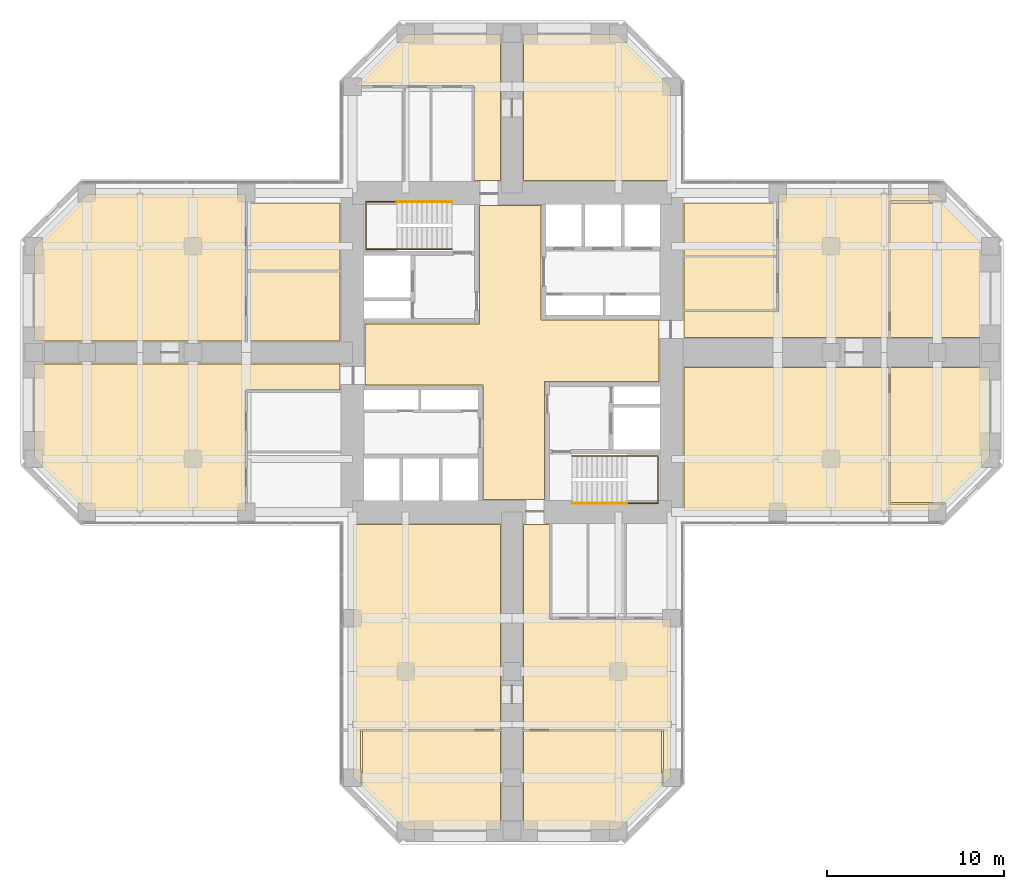
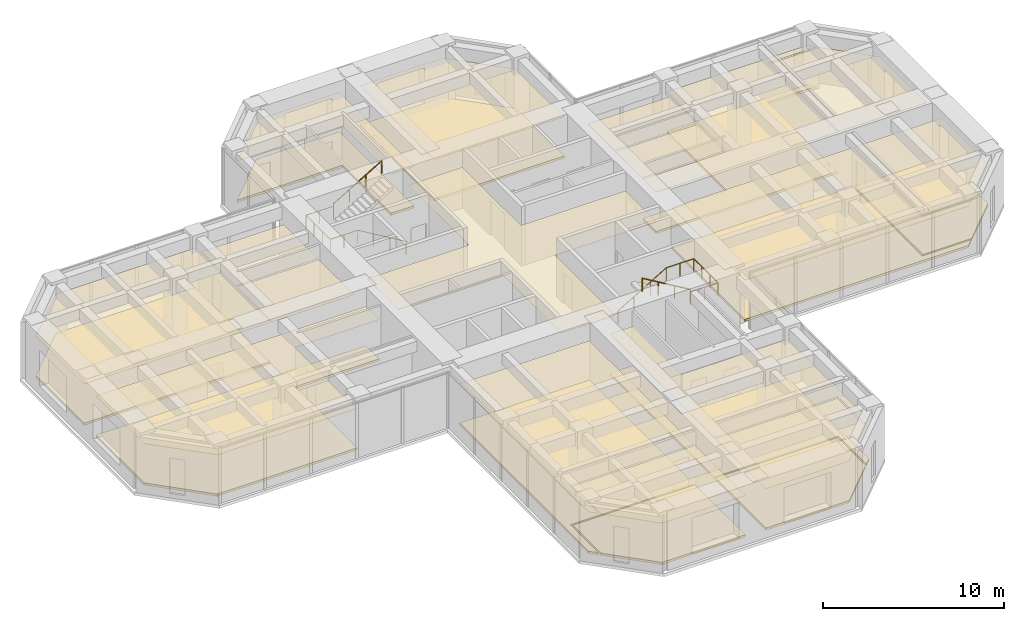
# One storey, part 12 of 12: 28 coverings, 4 railings.
"""IFC4 building model written with IfcOpenShell, lengths in metres."""

from ifc_helpers import new_model, si_unit, direction, frame, origin, origin_2d, place, context, subcontext, project, spatial, polyline, circle, outline, extrude, material, layer, layer_set, constituent, constituent_set, type_object, element, save


model = new_model("IFC4")

# Units and contexts
model_context = context("Model", 3, precision=1e-05, world=origin(), true_north=direction((0.0, 1.0)))
body_context = subcontext(model_context, "Body", "Model", "MODEL_VIEW")
ifc_project = project(units=[si_unit("LENGTHUNIT", "METRE"), si_unit("AREAUNIT", "SQUARE_METRE"), si_unit("VOLUMEUNIT", "CUBIC_METRE"), si_unit("PLANEANGLEUNIT", "RADIAN"), si_unit("MASSUNIT", "GRAM", prefix="KILO")], contexts=[model_context])

# Site, building, storey
site_placement = place(None, origin())
site = spatial("IfcSite", under=ifc_project, at=site_placement, CompositionType="ELEMENT")
building_placement = place(site_placement, origin())
building = spatial("IfcBuilding", under=site, at=building_placement, Name="Torre Cruceta", CompositionType="ELEMENT")
storey_placement = place(building_placement, frame((0.0, 0.0, 148.5)))
storey = spatial("IfcBuildingStorey", under=building, at=storey_placement, Name="L36", CompositionType="ELEMENT", Elevation=148.5)

# Railings
ifc_material_1 = material(Name="Stainless steel 1.4401", Category="steel")
railing_type = type_object("IfcRailingType", Name="HANDRAIL 900", PredefinedType="HANDRAIL", material=ifc_material_1)
railing_1_placement = place(storey_placement, frame((-3.39990234375, 5.8349609375, 0.166748046875)))
element("IfcRailing", 1, at=railing_1_placement, inside=storey, type_object=railing_type, Name="Handrail HR1 ST1 L36", PredefinedType="HANDRAIL", context=body_context, shape_type="SweptSolid", body=[
    extrude(circle(Radius=0.02392578125, at=origin_2d()), frame((0.0, 0.0, 0.8759765625), z_axis=(-0.859308565015, 0.0, 0.511457515432), x_axis=(0.0, -1.0, 0.0)), (0.0, 0.0, 1.0), 3.58447265625),
    extrude(circle(Radius=0.02392578125, at=origin_2d()), frame((-3.080078125, 0.0, 2.708984375), z_axis=(-1.0, 0.0, 0.0), x_axis=(0.0, -1.0, 0.0)), (0.0, 0.0, 1.0), 1.760009765625),
    extrude(circle(Radius=0.02392578125, at=origin_2d()), frame((-4.840087890625, 0.0, 2.708984375), z_axis=(0.0, 1.0, 0.0), x_axis=(-1.0, 0.0, 0.0)), (0.0, 0.0, 1.0), 2.679931640625),
    extrude(circle(Radius=0.02392578125, at=origin_2d()), frame((-4.840087890625, 2.679931640625, 2.708984375), z_axis=(1.0, 0.0, 0.0), x_axis=(0.0, 1.0, 0.0)), (0.0, 0.0, 1.0), 1.760009765625),
    extrude(circle(Radius=0.02099609375, at=origin_2d()), origin(), (0.0, 0.0, 1.0), 0.851806640625),
    extrude(circle(Radius=0.02099609375, at=origin_2d()), frame((-1.026611328125, 0.0, 0.611083984375)), (0.0, 0.0, 1.0), 0.851806640625),
    extrude(circle(Radius=0.02099609375, at=origin_2d()), frame((-2.053466796875, 0.0, 1.22216796875)), (0.0, 0.0, 1.0), 0.851806640625),
    extrude(circle(Radius=0.02099609375, at=origin_2d()), frame((-3.080078125, 0.0, 1.833251953125)), (0.0, 0.0, 1.0), 0.851806640625),
    extrude(circle(Radius=0.02099609375, at=origin_2d()), frame((-3.9599609375, 0.0, 1.833251953125)), (0.0, 0.0, 1.0), 0.851806640625),
    extrude(circle(Radius=0.02099609375, at=origin_2d()), frame((-4.840087890625, 0.0, 1.833251953125)), (0.0, 0.0, 1.0), 0.851806640625),
    extrude(circle(Radius=0.02099609375, at=origin_2d()), frame((-4.840087890625, 0.893310546875, 1.833251953125)), (0.0, 0.0, 1.0), 0.851806640625),
    extrude(circle(Radius=0.02099609375, at=origin_2d()), frame((-4.840087890625, 1.78662109375, 1.833251953125)), (0.0, 0.0, 1.0), 0.851806640625),
    extrude(circle(Radius=0.02099609375, at=origin_2d()), frame((-4.840087890625, 2.679931640625, 1.833251953125)), (0.0, 0.0, 1.0), 0.851806640625),
    extrude(circle(Radius=0.02099609375, at=origin_2d()), frame((-3.9599609375, 2.679931640625, 1.833251953125)), (0.0, 0.0, 1.0), 0.851806640625),
    extrude(circle(Radius=0.02099609375, at=origin_2d()), frame((-3.080078125, 2.679931640625, 1.833251953125)), (0.0, 0.0, 1.0), 0.851806640625),
])
railing_2_placement = place(storey_placement, frame((-6.47998046875, 8.514892578125, 2.166748046875)))
element("IfcRailing", 2, at=railing_2_placement, inside=storey, type_object=railing_type, Name="Handrail HR1 ST1 L36", PredefinedType="HANDRAIL", context=body_context, shape_type="SweptSolid", body=[
    extrude(circle(Radius=0.02392578125, at=origin_2d()), frame((0.0, 0.0, 0.8759765625), z_axis=(0.859308565015, 0.0, 0.511457515432), x_axis=(0.0, 1.0, 0.0)), (0.0, 0.0, 1.0), 3.58447265625),
    extrude(circle(Radius=0.02099609375, at=origin_2d()), origin(), (0.0, 0.0, 1.0), 0.851806640625),
    extrude(circle(Radius=0.02099609375, at=origin_2d()), frame((1.026611328125, 0.0, 0.611083984375)), (0.0, 0.0, 1.0), 0.851806640625),
    extrude(circle(Radius=0.02099609375, at=origin_2d()), frame((2.053466796875, 0.0, 1.22216796875)), (0.0, 0.0, 1.0), 0.851806640625),
    extrude(circle(Radius=0.02099609375, at=origin_2d()), frame((3.080078125, 0.0, 1.833251953125)), (0.0, 0.0, 1.0), 0.851806640625),
])
railing_3_placement = place(storey_placement, frame((3.39990234375, -5.8349609375, 0.166748046875)))
element("IfcRailing", 3, at=railing_3_placement, inside=storey, type_object=railing_type, Name="Handrail HR1 ST2 L36", PredefinedType="HANDRAIL", context=body_context, shape_type="SweptSolid", body=[
    extrude(circle(Radius=0.02392578125, at=origin_2d()), frame((0.0, 0.0, 0.8759765625), z_axis=(0.859308565015, 0.0, 0.511457515432), x_axis=(0.0, 1.0, 0.0)), (0.0, 0.0, 1.0), 3.58447265625),
    extrude(circle(Radius=0.02392578125, at=origin_2d()), frame((3.080078125, 0.0, 2.708984375), z_axis=(1.0, 0.0, 0.0), x_axis=(0.0, 1.0, 0.0)), (0.0, 0.0, 1.0), 1.760009765625),
    extrude(circle(Radius=0.02392578125, at=origin_2d()), frame((4.840087890625, 0.0, 2.708984375), z_axis=(0.0, -1.0, 0.0), x_axis=(1.0, 0.0, 0.0)), (0.0, 0.0, 1.0), 2.679931640625),
    extrude(circle(Radius=0.02392578125, at=origin_2d()), frame((4.840087890625, -2.679931640625, 2.708984375), z_axis=(-1.0, 0.0, 0.0), x_axis=(0.0, -1.0, 0.0)), (0.0, 0.0, 1.0), 1.760009765625),
    extrude(circle(Radius=0.02099609375, at=origin_2d()), origin(), (0.0, 0.0, 1.0), 0.851806640625),
    extrude(circle(Radius=0.02099609375, at=origin_2d()), frame((1.026611328125, 0.0, 0.611083984375)), (0.0, 0.0, 1.0), 0.851806640625),
    extrude(circle(Radius=0.02099609375, at=origin_2d()), frame((2.053466796875, 0.0, 1.22216796875)), (0.0, 0.0, 1.0), 0.851806640625),
    extrude(circle(Radius=0.02099609375, at=origin_2d()), frame((3.080078125, 0.0, 1.833251953125)), (0.0, 0.0, 1.0), 0.851806640625),
    extrude(circle(Radius=0.02099609375, at=origin_2d()), frame((3.9599609375, 0.0, 1.833251953125)), (0.0, 0.0, 1.0), 0.851806640625),
    extrude(circle(Radius=0.02099609375, at=origin_2d()), frame((4.840087890625, 0.0, 1.833251953125)), (0.0, 0.0, 1.0), 0.851806640625),
    extrude(circle(Radius=0.02099609375, at=origin_2d()), frame((4.840087890625, -0.893310546875, 1.833251953125)), (0.0, 0.0, 1.0), 0.851806640625),
    extrude(circle(Radius=0.02099609375, at=origin_2d()), frame((4.840087890625, -1.78662109375, 1.833251953125)), (0.0, 0.0, 1.0), 0.851806640625),
    extrude(circle(Radius=0.02099609375, at=origin_2d()), frame((4.840087890625, -2.679931640625, 1.833251953125)), (0.0, 0.0, 1.0), 0.851806640625),
    extrude(circle(Radius=0.02099609375, at=origin_2d()), frame((3.9599609375, -2.679931640625, 1.833251953125)), (0.0, 0.0, 1.0), 0.851806640625),
    extrude(circle(Radius=0.02099609375, at=origin_2d()), frame((3.080078125, -2.679931640625, 1.833251953125)), (0.0, 0.0, 1.0), 0.851806640625),
])
railing_4_placement = place(storey_placement, frame((6.47998046875, -8.514892578125, 2.166748046875)))
element("IfcRailing", 4, at=railing_4_placement, inside=storey, type_object=railing_type, Name="Handrail HR1 ST2 L36", PredefinedType="HANDRAIL", context=body_context, shape_type="SweptSolid", body=[
    extrude(circle(Radius=0.02392578125, at=origin_2d()), frame((0.0, 0.0, 0.8759765625), z_axis=(-0.859308565015, 0.0, 0.511457515432), x_axis=(0.0, -1.0, 0.0)), (0.0, 0.0, 1.0), 3.58447265625),
    extrude(circle(Radius=0.02099609375, at=origin_2d()), origin(), (0.0, 0.0, 1.0), 0.851806640625),
    extrude(circle(Radius=0.02099609375, at=origin_2d()), frame((-1.026611328125, 0.0, 0.611083984375)), (0.0, 0.0, 1.0), 0.851806640625),
    extrude(circle(Radius=0.02099609375, at=origin_2d()), frame((-2.053466796875, 0.0, 1.22216796875)), (0.0, 0.0, 1.0), 0.851806640625),
    extrude(circle(Radius=0.02099609375, at=origin_2d()), frame((-3.080078125, 0.0, 1.833251953125)), (0.0, 0.0, 1.0), 0.851806640625),
])

# Coverings
ifc_material_2 = material(Name="Steel DX51D", Category="steel")
ifc_constituent_1 = constituent(ifc_material_2, Name="Panel casing")
ifc_material_3 = material(Name="Calcium sulphate", Category="gypsum")
ifc_constituent_2 = constituent(ifc_material_3, Name="Panel core")
ifc_constituent_set = constituent_set(constituents=[ifc_constituent_1, ifc_constituent_2], Name="Raised access floor panel")
covering_type_1 = type_object("IfcCoveringType", Name="RAISED ACCESS FLOOR 150", PredefinedType="FLOORING", material=ifc_constituent_set)
covering_1_placement = place(storey_placement, origin())
element("IfcCovering", 5, at=covering_1_placement, inside=storey, type_object=covering_type_1, Name="Raised floor L36-025", PredefinedType="FLOORING", context=body_context, shape_type="SweptSolid", body=[
    extrude(outline(polyline([(-0.64990234375, 17.949951171875), (-0.64990234375, 9.699951171875), (-2.125, 9.699951171875), (-2.125, 15.050048828125), (-8.87939453125, 15.050048828125), (-5.979248046875, 17.949951171875), (-0.64990234375, 17.949951171875)])), origin(), (0.0, 0.0, 1.0), 0.14990234375),
])
covering_2_placement = place(storey_placement, origin())
element("IfcCovering", 6, at=covering_2_placement, inside=storey, type_object=covering_type_1, Name="Raised floor L36-026", PredefinedType="FLOORING", context=body_context, shape_type="SweptSolid", body=[
    extrude(outline(polyline([(5.979248046875, 17.949951171875), (8.949951171875, 14.979248046875), (8.949951171875, 9.699951171875), (0.64990234375, 9.699951171875), (0.64990234375, 17.949951171875), (5.979248046875, 17.949951171875)])), origin(), (0.0, 0.0, 1.0), 0.14990234375),
])
covering_3_placement = place(storey_placement, origin())
element("IfcCovering", 7, at=covering_3_placement, inside=storey, type_object=covering_type_1, Name="Raised floor L36-030", PredefinedType="FLOORING", context=body_context, shape_type="SweptSolid", body=[
    extrude(outline(polyline([(24.479248046875, -8.449951171875), (21.3701171875, -8.449951171875), (21.3701171875, -0.85009765625), (26.949951171875, -0.85009765625), (26.949951171875, -5.979248046875), (24.479248046875, -8.449951171875)])), origin(), (0.0, 0.0, 1.0), 0.14990234375),
])
covering_4_placement = place(storey_placement, origin())
element("IfcCovering", 8, at=covering_4_placement, inside=storey, type_object=covering_type_1, Name="Raised floor L36-031", PredefinedType="FLOORING", context=body_context, shape_type="SweptSolid", body=[
    extrude(outline(polyline([(21.27001953125, 0.85009765625), (9.699951171875, 0.85009765625), (9.699951171875, 2.324951171875), (15.050048828125, 2.324951171875), (15.050048828125, 8.949951171875), (23.979248046875, 8.949951171875), (24.37939453125, 8.550048828125), (21.27001953125, 8.550048828125), (21.27001953125, 0.85009765625)])), origin(), (0.0, 0.0, 1.0), 0.14990234375),
])
covering_5_placement = place(storey_placement, origin())
element("IfcCovering", 9, at=covering_5_placement, inside=storey, type_object=covering_type_1, Name="Raised floor L36-032", PredefinedType="FLOORING", context=body_context, shape_type="SweptSolid", body=[
    extrude(outline(polyline([(21.27001953125, -8.550048828125), (24.37939453125, -8.550048828125), (23.979248046875, -8.949951171875), (9.699951171875, -8.949951171875), (9.699951171875, -0.85009765625), (21.27001953125, -0.85009765625), (21.27001953125, -8.550048828125)])), origin(), (0.0, 0.0, 1.0), 0.14990234375),
])
covering_6_placement = place(storey_placement, origin())
element("IfcCovering", 10, at=covering_6_placement, inside=storey, type_object=covering_type_1, Name="Raised floor L36-036", PredefinedType="FLOORING", context=body_context, shape_type="SweptSolid", body=[
    extrude(outline(polyline([(0.64990234375, -26.949951171875), (0.64990234375, -21.3701171875), (8.449951171875, -21.3701171875), (8.449951171875, -24.479248046875), (5.979248046875, -26.949951171875), (0.64990234375, -26.949951171875)])), origin(), (0.0, 0.0, 1.0), 0.14990234375),
])
covering_7_placement = place(storey_placement, origin())
element("IfcCovering", 11, at=covering_7_placement, inside=storey, type_object=covering_type_1, Name="Raised floor L36-037", PredefinedType="FLOORING", context=body_context, shape_type="SweptSolid", body=[
    extrude(outline(polyline([(-8.449951171875, -24.479248046875), (-8.449951171875, -21.3701171875), (-0.64990234375, -21.3701171875), (-0.64990234375, -26.949951171875), (-5.979248046875, -26.949951171875), (-8.449951171875, -24.479248046875)])), origin(), (0.0, 0.0, 1.0), 0.14990234375),
])
covering_8_placement = place(storey_placement, origin())
element("IfcCovering", 12, at=covering_8_placement, inside=storey, type_object=covering_type_1, Name="Raised floor L36-038", PredefinedType="FLOORING", context=body_context, shape_type="SweptSolid", body=[
    extrude(outline(polyline([(0.64990234375, -21.27001953125), (0.64990234375, -9.699951171875), (2.125, -9.699951171875), (2.125, -15.050048828125), (8.949951171875, -15.050048828125), (8.949951171875, -23.979248046875), (8.550048828125, -24.37939453125), (8.550048828125, -21.27001953125), (0.64990234375, -21.27001953125)])), origin(), (0.0, 0.0, 1.0), 0.14990234375),
])
covering_9_placement = place(storey_placement, origin())
element("IfcCovering", 13, at=covering_9_placement, inside=storey, type_object=covering_type_1, Name="Raised floor L36-039", PredefinedType="FLOORING", context=body_context, shape_type="SweptSolid", body=[
    extrude(outline(polyline([(-8.550048828125, -21.27001953125), (-8.550048828125, -24.37939453125), (-8.949951171875, -23.979248046875), (-8.949951171875, -9.699951171875), (-0.64990234375, -9.699951171875), (-0.64990234375, -21.27001953125), (-8.550048828125, -21.27001953125)])), origin(), (0.0, 0.0, 1.0), 0.14990234375),
])
covering_10_placement = place(storey_placement, origin())
element("IfcCovering", 14, at=covering_10_placement, inside=storey, type_object=covering_type_1, Name="Raised floor L36-044", PredefinedType="FLOORING", context=body_context, shape_type="SweptSolid", body=[
    extrude(outline(polyline([(-26.949951171875, -0.64990234375), (-9.699951171875, -0.64990234375), (-9.699951171875, -2.125), (-15.050048828125, -2.125), (-15.050048828125, -8.949951171875), (-23.979248046875, -8.949951171875), (-26.949951171875, -5.979248046875), (-26.949951171875, -0.64990234375)])), origin(), (0.0, 0.0, 1.0), 0.14990234375),
])
covering_11_placement = place(storey_placement, origin())
element("IfcCovering", 15, at=covering_11_placement, inside=storey, type_object=covering_type_1, Name="Raised floor L36-045", PredefinedType="FLOORING", context=body_context, shape_type="SweptSolid", body=[
    extrude(outline(polyline([(-26.949951171875, 5.979248046875), (-23.979248046875, 8.949951171875), (-15.050048828125, 8.949951171875), (-15.050048828125, 0.64990234375), (-26.949951171875, 0.64990234375), (-26.949951171875, 5.979248046875)])), origin(), (0.0, 0.0, 1.0), 0.14990234375),
])
ifc_material_4 = material(Name="Mineral fibre ceiling tile", Category="gypsum")
ifc_layer = layer(ifc_material_4, 0.02001953125)
ifc_layer_set = layer_set([ifc_layer], Name="Mineral fibre ceiling tile")
covering_type_2 = type_object("IfcCoveringType", Name="SUSPENDED CEILING 20", PredefinedType="CEILING", material=ifc_layer_set)
covering_12_placement = place(storey_placement, frame((0.0, 0.0, 2.780029296875)))
element("IfcCovering", 16, at=covering_12_placement, inside=storey, type_object=covering_type_2, Name="Ceiling L36-001", PredefinedType="CEILING", context=body_context, shape_type="SweptSolid", body=[
    extrude(outline(polyline([(-1.625, -8.300048828125), (-1.625, -1.824951171875), (-8.300048828125, -1.824951171875), (-8.300048828125, 1.625), (-1.824951171875, 1.625), (-1.824951171875, 8.300048828125), (1.625, 8.300048828125), (1.625, 1.824951171875), (8.300048828125, 1.824951171875), (8.300048828125, -1.625), (1.824951171875, -1.625), (1.824951171875, -8.300048828125), (-1.625, -8.300048828125)])), origin(), (0.0, 0.0, 1.0), 0.02001953125),
])
covering_13_placement = place(storey_placement, frame((0.0, 0.0, 2.780029296875)))
element("IfcCovering", 17, at=covering_13_placement, inside=storey, type_object=covering_type_2, Name="Ceiling L36-025", PredefinedType="CEILING", context=body_context, shape_type="SweptSolid", body=[
    extrude(outline(polyline([(-0.64990234375, 17.949951171875), (-0.64990234375, 9.699951171875), (-2.125, 9.699951171875), (-2.125, 15.050048828125), (-8.87939453125, 15.050048828125), (-5.979248046875, 17.949951171875), (-0.64990234375, 17.949951171875)])), origin(), (0.0, 0.0, 1.0), 0.02001953125),
])
covering_14_placement = place(storey_placement, frame((0.0, 0.0, 2.780029296875)))
element("IfcCovering", 18, at=covering_14_placement, inside=storey, type_object=covering_type_2, Name="Ceiling L36-026", PredefinedType="CEILING", context=body_context, shape_type="SweptSolid", body=[
    extrude(outline(polyline([(5.979248046875, 17.949951171875), (8.949951171875, 14.979248046875), (8.949951171875, 9.699951171875), (0.64990234375, 9.699951171875), (0.64990234375, 17.949951171875), (5.979248046875, 17.949951171875)])), origin(), (0.0, 0.0, 1.0), 0.02001953125),
])
covering_15_placement = place(storey_placement, frame((0.0, 0.0, 2.780029296875)))
element("IfcCovering", 19, at=covering_15_placement, inside=storey, type_object=covering_type_2, Name="Ceiling L36-027", PredefinedType="CEILING", context=body_context, shape_type="SweptSolid", body=[
    extrude(outline(polyline([(9.699951171875, 2.425048828125), (9.699951171875, 5.387451171875), (14.949951171875, 5.387451171875), (14.949951171875, 2.425048828125), (9.699951171875, 2.425048828125)])), origin(), (0.0, 0.0, 1.0), 0.02001953125),
])
covering_16_placement = place(storey_placement, frame((0.0, 0.0, 2.780029296875)))
element("IfcCovering", 20, at=covering_16_placement, inside=storey, type_object=covering_type_2, Name="Ceiling L36-028", PredefinedType="CEILING", context=body_context, shape_type="SweptSolid", body=[
    extrude(outline(polyline([(9.699951171875, 5.487548828125), (9.699951171875, 8.449951171875), (14.949951171875, 8.449951171875), (14.949951171875, 5.487548828125), (9.699951171875, 5.487548828125)])), origin(), (0.0, 0.0, 1.0), 0.02001953125),
])
covering_17_placement = place(storey_placement, frame((0.0, 0.0, 2.780029296875)))
element("IfcCovering", 21, at=covering_17_placement, inside=storey, type_object=covering_type_2, Name="Ceiling L36-029", PredefinedType="CEILING", context=body_context, shape_type="SweptSolid", body=[
    extrude(outline(polyline([(26.949951171875, 0.85009765625), (21.3701171875, 0.85009765625), (21.3701171875, 8.449951171875), (24.479248046875, 8.449951171875), (26.949951171875, 5.979248046875), (26.949951171875, 0.85009765625)])), origin(), (0.0, 0.0, 1.0), 0.02001953125),
])
covering_18_placement = place(storey_placement, frame((0.0, 0.0, 2.780029296875)))
element("IfcCovering", 22, at=covering_18_placement, inside=storey, type_object=covering_type_2, Name="Ceiling L36-030", PredefinedType="CEILING", context=body_context, shape_type="SweptSolid", body=[
    extrude(outline(polyline([(24.479248046875, -8.449951171875), (21.3701171875, -8.449951171875), (21.3701171875, -0.85009765625), (26.949951171875, -0.85009765625), (26.949951171875, -5.979248046875), (24.479248046875, -8.449951171875)])), origin(), (0.0, 0.0, 1.0), 0.02001953125),
])
covering_19_placement = place(storey_placement, frame((0.0, 0.0, 2.780029296875)))
element("IfcCovering", 23, at=covering_19_placement, inside=storey, type_object=covering_type_2, Name="Ceiling L36-031", PredefinedType="CEILING", context=body_context, shape_type="SweptSolid", body=[
    extrude(outline(polyline([(21.27001953125, 0.85009765625), (9.699951171875, 0.85009765625), (9.699951171875, 2.324951171875), (15.050048828125, 2.324951171875), (15.050048828125, 8.949951171875), (23.979248046875, 8.949951171875), (24.37939453125, 8.550048828125), (21.27001953125, 8.550048828125), (21.27001953125, 0.85009765625)])), origin(), (0.0, 0.0, 1.0), 0.02001953125),
])
covering_20_placement = place(storey_placement, frame((0.0, 0.0, 2.780029296875)))
element("IfcCovering", 24, at=covering_20_placement, inside=storey, type_object=covering_type_2, Name="Ceiling L36-032", PredefinedType="CEILING", context=body_context, shape_type="SweptSolid", body=[
    extrude(outline(polyline([(21.27001953125, -8.550048828125), (24.37939453125, -8.550048828125), (23.979248046875, -8.949951171875), (9.699951171875, -8.949951171875), (9.699951171875, -0.85009765625), (21.27001953125, -0.85009765625), (21.27001953125, -8.550048828125)])), origin(), (0.0, 0.0, 1.0), 0.02001953125),
])
covering_21_placement = place(storey_placement, frame((0.0, 0.0, 2.780029296875)))
element("IfcCovering", 25, at=covering_21_placement, inside=storey, type_object=covering_type_2, Name="Ceiling L36-036", PredefinedType="CEILING", context=body_context, shape_type="SweptSolid", body=[
    extrude(outline(polyline([(0.64990234375, -26.949951171875), (0.64990234375, -21.3701171875), (8.449951171875, -21.3701171875), (8.449951171875, -24.479248046875), (5.979248046875, -26.949951171875), (0.64990234375, -26.949951171875)])), origin(), (0.0, 0.0, 1.0), 0.02001953125),
])
covering_22_placement = place(storey_placement, frame((0.0, 0.0, 2.780029296875)))
element("IfcCovering", 26, at=covering_22_placement, inside=storey, type_object=covering_type_2, Name="Ceiling L36-037", PredefinedType="CEILING", context=body_context, shape_type="SweptSolid", body=[
    extrude(outline(polyline([(-8.449951171875, -24.479248046875), (-8.449951171875, -21.3701171875), (-0.64990234375, -21.3701171875), (-0.64990234375, -26.949951171875), (-5.979248046875, -26.949951171875), (-8.449951171875, -24.479248046875)])), origin(), (0.0, 0.0, 1.0), 0.02001953125),
])
covering_23_placement = place(storey_placement, frame((0.0, 0.0, 2.780029296875)))
element("IfcCovering", 27, at=covering_23_placement, inside=storey, type_object=covering_type_2, Name="Ceiling L36-038", PredefinedType="CEILING", context=body_context, shape_type="SweptSolid", body=[
    extrude(outline(polyline([(0.64990234375, -21.27001953125), (0.64990234375, -9.699951171875), (2.125, -9.699951171875), (2.125, -15.050048828125), (8.949951171875, -15.050048828125), (8.949951171875, -23.979248046875), (8.550048828125, -24.37939453125), (8.550048828125, -21.27001953125), (0.64990234375, -21.27001953125)])), origin(), (0.0, 0.0, 1.0), 0.02001953125),
])
covering_24_placement = place(storey_placement, frame((0.0, 0.0, 2.780029296875)))
element("IfcCovering", 28, at=covering_24_placement, inside=storey, type_object=covering_type_2, Name="Ceiling L36-039", PredefinedType="CEILING", context=body_context, shape_type="SweptSolid", body=[
    extrude(outline(polyline([(-8.550048828125, -21.27001953125), (-8.550048828125, -24.37939453125), (-8.949951171875, -23.979248046875), (-8.949951171875, -9.699951171875), (-0.64990234375, -9.699951171875), (-0.64990234375, -21.27001953125), (-8.550048828125, -21.27001953125)])), origin(), (0.0, 0.0, 1.0), 0.02001953125),
])
covering_25_placement = place(storey_placement, frame((0.0, 0.0, 2.780029296875)))
element("IfcCovering", 29, at=covering_25_placement, inside=storey, type_object=covering_type_2, Name="Ceiling L36-042", PredefinedType="CEILING", context=body_context, shape_type="SweptSolid", body=[
    extrude(outline(polyline([(-9.699951171875, 4.550048828125), (-9.699951171875, 0.64990234375), (-14.949951171875, 0.64990234375), (-14.949951171875, 4.550048828125), (-9.699951171875, 4.550048828125)])), origin(), (0.0, 0.0, 1.0), 0.02001953125),
])
covering_26_placement = place(storey_placement, frame((0.0, 0.0, 2.780029296875)))
element("IfcCovering", 30, at=covering_26_placement, inside=storey, type_object=covering_type_2, Name="Ceiling L36-043", PredefinedType="CEILING", context=body_context, shape_type="SweptSolid", body=[
    extrude(outline(polyline([(-9.699951171875, 8.449951171875), (-9.699951171875, 4.64990234375), (-14.949951171875, 4.64990234375), (-14.949951171875, 8.449951171875), (-9.699951171875, 8.449951171875)])), origin(), (0.0, 0.0, 1.0), 0.02001953125),
])
covering_27_placement = place(storey_placement, frame((0.0, 0.0, 2.780029296875)))
element("IfcCovering", 31, at=covering_27_placement, inside=storey, type_object=covering_type_2, Name="Ceiling L36-044", PredefinedType="CEILING", context=body_context, shape_type="SweptSolid", body=[
    extrude(outline(polyline([(-26.949951171875, -0.64990234375), (-9.699951171875, -0.64990234375), (-9.699951171875, -2.125), (-15.050048828125, -2.125), (-15.050048828125, -8.949951171875), (-23.979248046875, -8.949951171875), (-26.949951171875, -5.979248046875), (-26.949951171875, -0.64990234375)])), origin(), (0.0, 0.0, 1.0), 0.02001953125),
])
covering_28_placement = place(storey_placement, frame((0.0, 0.0, 2.780029296875)))
element("IfcCovering", 32, at=covering_28_placement, inside=storey, type_object=covering_type_2, Name="Ceiling L36-045", PredefinedType="CEILING", context=body_context, shape_type="SweptSolid", body=[
    extrude(outline(polyline([(-26.949951171875, 5.979248046875), (-23.979248046875, 8.949951171875), (-15.050048828125, 8.949951171875), (-15.050048828125, 0.64990234375), (-26.949951171875, 0.64990234375), (-26.949951171875, 5.979248046875)])), origin(), (0.0, 0.0, 1.0), 0.02001953125),
])

save(model, "model.ifc")
